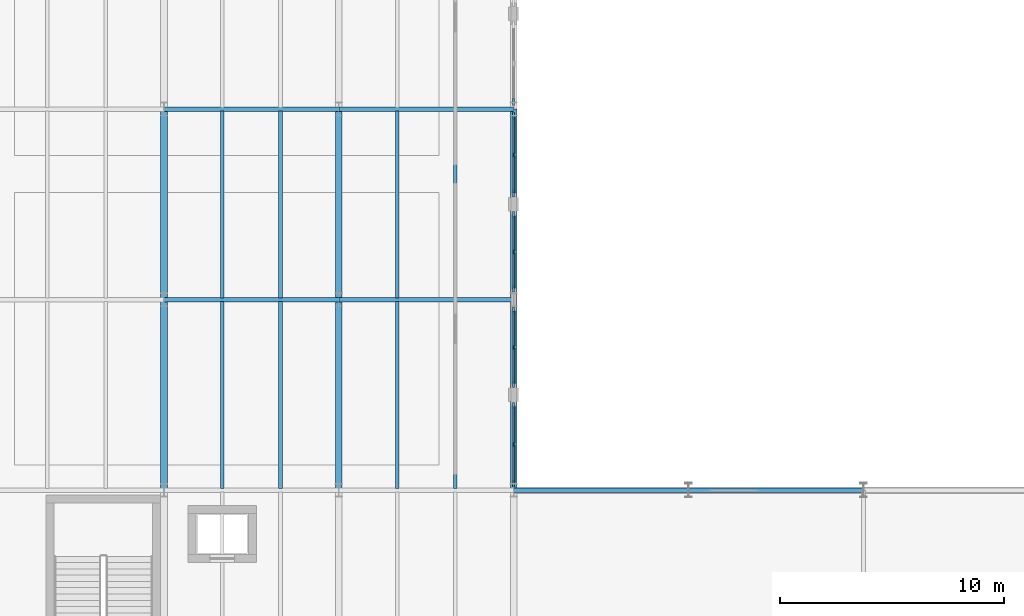
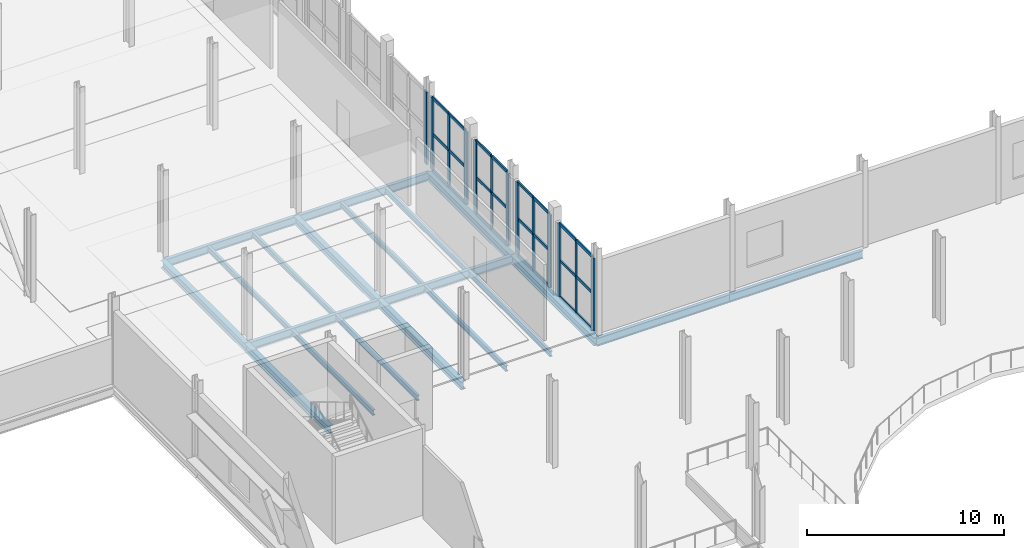
# One storey, part 19 of 78: 37 members, 20 beams, 5 elements without a shape of their own.
"""IFC4 building model written with IfcOpenShell, lengths in metres."""

from ifc_helpers import new_model, si_unit, direction, frame, origin, origin_2d, place, context, subcontext, project, spatial, rectangle, i_section, extrude, material, layer, layer_set, material_profile, profile_set, type_object, element, aggregate, save


model = new_model("IFC4")

# Units and contexts
model_context = context("Model", 3, precision=1e-05, world=origin(), true_north=direction((0.0, 1.0)))
body_context = subcontext(model_context, "Body", "Model", "MODEL_VIEW")
ifc_project = project(units=[si_unit("LENGTHUNIT", "METRE"), si_unit("AREAUNIT", "SQUARE_METRE"), si_unit("VOLUMEUNIT", "CUBIC_METRE"), si_unit("PLANEANGLEUNIT", "RADIAN"), si_unit("MASSUNIT", "GRAM", prefix="KILO")], contexts=[model_context])

# Site, building, storey
site_placement = place(None, origin())
site = spatial("IfcSite", under=ifc_project, at=site_placement, CompositionType="ELEMENT")
building_placement = place(site_placement, origin())
building = spatial("IfcBuilding", under=site, at=building_placement, Name="Sefraquen Railside Congress Hotel", CompositionType="ELEMENT")
storey_placement = place(building_placement, frame((0.0, 0.0, 6.0)))
storey = spatial("IfcBuildingStorey", under=building, at=storey_placement, Name="L01", CompositionType="ELEMENT", Elevation=6.0)

# Beams
ifc_material_1 = material(Name="Steel S355JR", Category="steel")
ifc_material_profile_1 = material_profile(ifc_material_1, i_section(OverallWidth=0.199951171875, OverallDepth=0.5, WebThickness=0.01025390625, FlangeThickness=0.01611328125, FilletRadius=0.02099609375, at=origin_2d()), Name="IPE 500")
ifc_profile_set_1 = profile_set([ifc_material_profile_1], Name="Steel S355JR")
beam_type_1 = type_object("IfcBeamType", Name="TB-BM-500", PredefinedType="BEAM", material=ifc_profile_set_1)
beam_placement = place(storey_placement, frame((48.60009765625, 54.0, -0.550048828125), z_axis=(1.0, 0.0, 0.0), x_axis=(0.0, 1.0, 0.0)))
element("IfcBeam", 1, at=beam_placement, inside=storey, type_object=beam_type_1, Name="Primary girder BM-L01-0395", PredefinedType="BEAM", context=body_context, shape_type="SweptSolid", body=[
    extrude(i_section(OverallWidth=0.199951171875, OverallDepth=0.5, WebThickness=0.01025390625, FlangeThickness=0.01611328125, FilletRadius=0.02099609375, at=origin_2d()), origin(), (0.0, 0.0, 1.0), 7.7998046875),
])
for number, where, z_axis, x_axis, name in (
    (2, (56.39990234375, 54.0, -0.550048828125), (1.0, 0.0, 0.0), (0.0, 1.0, 0.0), "Primary girder BM-L01-0396"),
    (3, (33.0, 62.5, -0.550048828125), (1.0, 0.0, 0.0), (0.0, 1.0, 0.0), "Primary girder BM-L01-0414"),
    (4, (40.800048828125, 62.5, -0.550048828125), (1.0, 0.0, 0.0), (0.0, 1.0, 0.0), "Primary girder BM-L01-0415"),
    (5, (33.0, 71.0, -0.550048828125), (1.0, 0.0, 0.0), (0.0, 1.0, 0.0), "Primary girder BM-L01-0423"),
    (6, (40.800048828125, 71.0, -0.550048828125), (1.0, 0.0, 0.0), (0.0, 1.0, 0.0), "Primary girder BM-L01-0424"),
):
    element("IfcBeam", number, at=place(storey_placement, frame(where, z_axis=z_axis, x_axis=x_axis)), inside=storey, type_object=beam_type_1, Name=name, PredefinedType="BEAM", context=body_context, shape_type="SweptSolid", body=[
        extrude(i_section(OverallWidth=0.199951171875, OverallDepth=0.5, WebThickness=0.01025390625, FlangeThickness=0.01611328125, FilletRadius=0.02099609375, at=origin_2d()), origin(), (0.0, 0.0, 1.0), 7.800048828125),
    ])
ifc_material_profile_2 = material_profile(ifc_material_1, i_section(OverallWidth=0.300048828125, OverallDepth=0.489990234375, WebThickness=0.011962890625, FlangeThickness=0.02294921875, FilletRadius=0.027099609375, at=origin_2d()), Name="HEA 500")
ifc_profile_set_2 = profile_set([ifc_material_profile_2], Name="Steel S355JR")
beam_type_2 = type_object("IfcBeamType", Name="TB-GIR-500", PredefinedType="T_BEAM", material=ifc_profile_set_2)
for number, where, z_axis, x_axis, name in (
    (7, (33.0, 54.0, -0.544921875), (0.0, 1.0, 0.0), (-1.0, 0.0, 0.0), "Floor beam BM-L01-0540"),
    (8, (33.0, 62.5, -0.544921875), (0.0, 1.0, 0.0), (-1.0, 0.0, 0.0), "Floor beam BM-L01-0541"),
    (9, (40.800048828125, 54.0, -0.544921875), (0.0, 1.0, 0.0), (-1.0, 0.0, 0.0), "Floor beam BM-L01-0551"),
    (10, (40.800048828125, 62.5, -0.544921875), (0.0, 1.0, 0.0), (-1.0, 0.0, 0.0), "Floor beam BM-L01-0552"),
    (11, (48.60009765625, 54.0, -0.544921875), (0.0, 1.0, 0.0), (-1.0, 0.0, 0.0), "Floor beam BM-L01-0560"),
    (12, (48.60009765625, 62.5, -0.544921875), (0.0, 1.0, 0.0), (-1.0, 0.0, 0.0), "Floor beam BM-L01-0561"),
):
    element("IfcBeam", number, at=place(storey_placement, frame(where, z_axis=z_axis, x_axis=x_axis)), inside=storey, type_object=beam_type_2, Name=name, PredefinedType="T_BEAM", context=body_context, shape_type="SweptSolid", body=[
        extrude(i_section(OverallWidth=0.300048828125, OverallDepth=0.489990234375, WebThickness=0.011962890625, FlangeThickness=0.02294921875, FilletRadius=0.027099609375, at=origin_2d()), origin(), (0.0, 0.0, 1.0), 8.5),
    ])
ifc_material_profile_3 = material_profile(ifc_material_1, i_section(OverallWidth=0.159912109375, OverallDepth=0.330078125, WebThickness=0.007568359375, FlangeThickness=0.011474609375, FilletRadius=0.01806640625, at=origin_2d()), Name="IPE 330")
ifc_profile_set_3 = profile_set([ifc_material_profile_3], Name="Steel S355JR")
beam_type_3 = type_object("IfcBeamType", Name="TB-JST-330", PredefinedType="JOIST", material=ifc_profile_set_3)
for number, where, z_axis, x_axis, name in (
    (13, (35.60009765625, 54.080078125, -0.465087890625), (0.0, 1.0, 0.0), (-1.0, 0.0, 0.0), "Composite floor joist BM-L01-J0252"),
    (14, (38.199951171875, 54.080078125, -0.465087890625), (0.0, 1.0, 0.0), (-1.0, 0.0, 0.0), "Composite floor joist BM-L01-J0253"),
    (15, (35.60009765625, 62.580078125, -0.465087890625), (0.0, 1.0, 0.0), (-1.0, 0.0, 0.0), "Composite floor joist BM-L01-J0254"),
    (16, (38.199951171875, 62.580078125, -0.465087890625), (0.0, 1.0, 0.0), (-1.0, 0.0, 0.0), "Composite floor joist BM-L01-J0255"),
    (17, (43.39990234375, 54.080078125, -0.465087890625), (0.0, 1.0, 0.0), (-1.0, 0.0, 0.0), "Composite floor joist BM-L01-J0270"),
    (18, (46.0, 54.080078125, -0.465087890625), (0.0, 1.0, 0.0), (-1.0, 0.0, 0.0), "Composite floor joist BM-L01-J0271"),
    (19, (43.39990234375, 62.580078125, -0.465087890625), (0.0, 1.0, 0.0), (-1.0, 0.0, 0.0), "Composite floor joist BM-L01-J0272"),
    (20, (46.0, 62.580078125, -0.465087890625), (0.0, 1.0, 0.0), (-1.0, 0.0, 0.0), "Composite floor joist BM-L01-J0273"),
):
    element("IfcBeam", number, at=place(storey_placement, frame(where, z_axis=z_axis, x_axis=x_axis)), inside=storey, type_object=beam_type_3, Name=name, PredefinedType="JOIST", context=body_context, shape_type="SweptSolid", body=[
        extrude(i_section(OverallWidth=0.159912109375, OverallDepth=0.330078125, WebThickness=0.007568359375, FlangeThickness=0.011474609375, FilletRadius=0.01806640625, at=origin_2d()), origin(), (0.0, 0.0, 1.0), 8.33984375),
    ])

# Curtain wall, member
ifc_material_2 = material(Name="Thermally broken anodised aluminium and low-E double glazing", Category="aluminium")
ifc_layer_1 = layer(ifc_material_2, 0.199951171875)
ifc_layer_set_1 = layer_set([ifc_layer_1], Name="Thermally broken anodised aluminium and low-E double glazing")
curtain_wall_type_1 = type_object("IfcCurtainWallType", Name="TCW-UCW-13", PredefinedType="USERDEFINED", material=ifc_layer_set_1)
curtain_wall_1_placement = place(storey_placement, origin())
curtain_wall_1 = element("IfcCurtainWall", 21, at=curtain_wall_1_placement, inside=storey, type_object=curtain_wall_type_1, Name="Courtyard west gallery curtain wall L01", ObjectType="UNITISED CURTAIN WALL", PredefinedType="USERDEFINED")
ifc_material_3 = material(Name="Thermally broken anodised aluminium 6063-T6", Category="aluminium")
ifc_material_profile_4 = material_profile(ifc_material_3, rectangle(XDim=0.070068359375, YDim=0.199951171875, at=origin_2d()), Name="CWM 70x200")
ifc_profile_set_4 = profile_set([ifc_material_profile_4], Name="Thermally broken anodised aluminium 6063-T6")
member_type_1 = type_object("IfcMemberType", Name="TM-CWM-03", PredefinedType="MULLION", material=ifc_profile_set_4)
member_1_placement = place(storey_placement, frame((48.60009765625, 56.0400390625, 0.0), z_axis=(0.0, 0.0, 1.0), x_axis=(1.0, 0.0, 0.0)))
member_1 = element("IfcMember", 22, at=member_1_placement, type_object=member_type_1, Name="CW-L01-045 mullion 2", PredefinedType="MULLION", context=body_context, shape_type="SweptSolid", body=[
    extrude(rectangle(XDim=0.070068359375, YDim=0.199951171875, at=origin_2d()), origin(), (0.0, 0.0, 1.0), 4.5),
])

curtain_wall_2_placement = place(storey_placement, origin())
curtain_wall_2 = element("IfcCurtainWall", 23, at=curtain_wall_2_placement, inside=storey, type_object=curtain_wall_type_1, Name="Courtyard west gallery curtain wall L01 bay 2", ObjectType="UNITISED CURTAIN WALL", PredefinedType="USERDEFINED")
member_2_placement = place(storey_placement, frame((48.60009765625, 60.375, 0.0), z_axis=(0.0, 0.0, 1.0), x_axis=(1.0, 0.0, 0.0)))
member_2 = element("IfcMember", 24, at=member_2_placement, type_object=member_type_1, Name="CW-L01-045-S2 mullion 2", PredefinedType="MULLION", context=body_context, shape_type="SweptSolid", body=[
    extrude(rectangle(XDim=0.070068359375, YDim=0.199951171875, at=origin_2d()), origin(), (0.0, 0.0, 1.0), 4.5),
])

curtain_wall_3_placement = place(storey_placement, origin())
curtain_wall_3 = element("IfcCurtainWall", 25, at=curtain_wall_3_placement, inside=storey, type_object=curtain_wall_type_1, Name="Courtyard west gallery curtain wall L01 bay 3", ObjectType="UNITISED CURTAIN WALL", PredefinedType="USERDEFINED")
member_3_placement = place(storey_placement, frame((48.60009765625, 64.625, 0.0), z_axis=(0.0, 0.0, 1.0), x_axis=(1.0, 0.0, 0.0)))
member_3 = element("IfcMember", 26, at=member_3_placement, type_object=member_type_1, Name="CW-L01-045-S3 mullion 2", PredefinedType="MULLION", context=body_context, shape_type="SweptSolid", body=[
    extrude(rectangle(XDim=0.070068359375, YDim=0.199951171875, at=origin_2d()), origin(), (0.0, 0.0, 1.0), 4.5),
])

curtain_wall_4_placement = place(storey_placement, origin())
curtain_wall_4 = element("IfcCurtainWall", 27, at=curtain_wall_4_placement, inside=storey, type_object=curtain_wall_type_1, Name="Courtyard west gallery curtain wall L01 bay 4", ObjectType="UNITISED CURTAIN WALL", PredefinedType="USERDEFINED")
member_4_placement = place(storey_placement, frame((48.60009765625, 68.9599609375, 0.0), z_axis=(0.0, 0.0, 1.0), x_axis=(1.0, 0.0, 0.0)))
member_4 = element("IfcMember", 28, at=member_4_placement, type_object=member_type_1, Name="CW-L01-045-S4 mullion 2", PredefinedType="MULLION", context=body_context, shape_type="SweptSolid", body=[
    extrude(rectangle(XDim=0.070068359375, YDim=0.199951171875, at=origin_2d()), origin(), (0.0, 0.0, 1.0), 4.5),
])

# Member
ifc_material_profile_5 = material_profile(ifc_material_3, rectangle(XDim=0.094970703125, YDim=0.300048828125, at=origin_2d()), Name="CWM 95x300")
ifc_profile_set_5 = profile_set([ifc_material_profile_5], Name="Thermally broken anodised aluminium 6063-T6")
member_type_2 = type_object("IfcMemberType", Name="TM-CWM-08", PredefinedType="MULLION", material=ifc_profile_set_5)
member_5_placement = place(storey_placement, frame((48.60009765625, 54.31005859375, 0.0), z_axis=(0.0, 0.0, 1.0), x_axis=(1.0, 0.0, 0.0)))
member_5 = element("IfcMember", 29, at=member_5_placement, type_object=member_type_2, Name="CW-L01-045 mullion 1", PredefinedType="MULLION", context=body_context, shape_type="SweptSolid", body=[
    extrude(rectangle(XDim=0.094970703125, YDim=0.300048828125, at=origin_2d()), origin(), (0.0, 0.0, 1.0), 4.5),
])

member_6_placement = place(storey_placement, frame((48.60009765625, 57.77001953125, 0.0), z_axis=(0.0, 0.0, 1.0), x_axis=(1.0, 0.0, 0.0)))
member_6 = element("IfcMember", 30, at=member_6_placement, type_object=member_type_2, Name="CW-L01-045 mullion 3", PredefinedType="MULLION", context=body_context, shape_type="SweptSolid", body=[
    extrude(rectangle(XDim=0.094970703125, YDim=0.300048828125, at=origin_2d()), origin(), (0.0, 0.0, 1.0), 4.5),
])

member_7_placement = place(storey_placement, frame((48.60009765625, 58.72998046875, 0.0), z_axis=(0.0, 0.0, 1.0), x_axis=(1.0, 0.0, 0.0)))
member_7 = element("IfcMember", 31, at=member_7_placement, type_object=member_type_2, Name="CW-L01-045-S2 mullion 1", PredefinedType="MULLION", context=body_context, shape_type="SweptSolid", body=[
    extrude(rectangle(XDim=0.094970703125, YDim=0.300048828125, at=origin_2d()), origin(), (0.0, 0.0, 1.0), 4.5),
])

member_8_placement = place(storey_placement, frame((48.60009765625, 62.02001953125, 0.0), z_axis=(0.0, 0.0, 1.0), x_axis=(1.0, 0.0, 0.0)))
member_8 = element("IfcMember", 32, at=member_8_placement, type_object=member_type_2, Name="CW-L01-045-S2 mullion 3", PredefinedType="MULLION", context=body_context, shape_type="SweptSolid", body=[
    extrude(rectangle(XDim=0.094970703125, YDim=0.300048828125, at=origin_2d()), origin(), (0.0, 0.0, 1.0), 4.5),
])

member_9_placement = place(storey_placement, frame((48.60009765625, 62.97998046875, 0.0), z_axis=(0.0, 0.0, 1.0), x_axis=(1.0, 0.0, 0.0)))
member_9 = element("IfcMember", 33, at=member_9_placement, type_object=member_type_2, Name="CW-L01-045-S3 mullion 1", PredefinedType="MULLION", context=body_context, shape_type="SweptSolid", body=[
    extrude(rectangle(XDim=0.094970703125, YDim=0.300048828125, at=origin_2d()), origin(), (0.0, 0.0, 1.0), 4.5),
])

member_10_placement = place(storey_placement, frame((48.60009765625, 66.27001953125, 0.0), z_axis=(0.0, 0.0, 1.0), x_axis=(1.0, 0.0, 0.0)))
member_10 = element("IfcMember", 34, at=member_10_placement, type_object=member_type_2, Name="CW-L01-045-S3 mullion 3", PredefinedType="MULLION", context=body_context, shape_type="SweptSolid", body=[
    extrude(rectangle(XDim=0.094970703125, YDim=0.300048828125, at=origin_2d()), origin(), (0.0, 0.0, 1.0), 4.5),
])

member_11_placement = place(storey_placement, frame((48.60009765625, 67.22998046875, 0.0), z_axis=(0.0, 0.0, 1.0), x_axis=(1.0, 0.0, 0.0)))
member_11 = element("IfcMember", 35, at=member_11_placement, type_object=member_type_2, Name="CW-L01-045-S4 mullion 1", PredefinedType="MULLION", context=body_context, shape_type="SweptSolid", body=[
    extrude(rectangle(XDim=0.094970703125, YDim=0.300048828125, at=origin_2d()), origin(), (0.0, 0.0, 1.0), 4.5),
])

member_12_placement = place(storey_placement, frame((48.60009765625, 70.68994140625, 0.0), z_axis=(0.0, 0.0, 1.0), x_axis=(1.0, 0.0, 0.0)))
member_12 = element("IfcMember", 36, at=member_12_placement, type_object=member_type_2, Name="CW-L01-045-S4 mullion 3", PredefinedType="MULLION", context=body_context, shape_type="SweptSolid", body=[
    extrude(rectangle(XDim=0.094970703125, YDim=0.300048828125, at=origin_2d()), origin(), (0.0, 0.0, 1.0), 4.5),
])

# Curtain wall, member
ifc_layer_2 = layer(ifc_material_2, 0.199951171875)
ifc_layer_set_2 = layer_set([ifc_layer_2], Name="Thermally broken anodised aluminium and low-E double glazing")
curtain_wall_type_2 = type_object("IfcCurtainWallType", Name="TCW-UCW-15", PredefinedType="USERDEFINED", material=ifc_layer_set_2)
curtain_wall_5_placement = place(storey_placement, origin())
curtain_wall_5 = element("IfcCurtainWall", 37, at=curtain_wall_5_placement, inside=storey, type_object=curtain_wall_type_2, Name="Courtyard west gallery curtain wall L01", ObjectType="UNITISED CURTAIN WALL", PredefinedType="USERDEFINED")
member_13_placement = place(storey_placement, frame((48.60009765625, 71.31005859375, 0.0), z_axis=(0.0, 0.0, 1.0), x_axis=(1.0, 0.0, 0.0)))
member_13 = element("IfcMember", 38, at=member_13_placement, type_object=member_type_2, Name="CW-L01-047 mullion 1", PredefinedType="MULLION", context=body_context, shape_type="SweptSolid", body=[
    extrude(rectangle(XDim=0.094970703125, YDim=0.300048828125, at=origin_2d()), origin(), (0.0, 0.0, 1.0), 4.5),
])
aggregate(curtain_wall_5, [member_13])

# Member
ifc_material_profile_6 = material_profile(ifc_material_3, rectangle(XDim=0.080078125, YDim=0.179931640625, at=origin_2d()), Name="CWT 80x180")
ifc_profile_set_6 = profile_set([ifc_material_profile_6], Name="Thermally broken anodised aluminium 6063-T6")
member_type_3 = type_object("IfcMemberType", Name="TM-CWT-05", PredefinedType="USERDEFINED", material=ifc_profile_set_6)
member_14_placement = place(storey_placement, frame((48.60009765625, 54.35498046875, 0.0), z_axis=(0.0, 1.0, 0.0), x_axis=(-1.0, 0.0, 0.0)))
member_14 = element("IfcMember", 39, at=member_14_placement, type_object=member_type_3, Name="CW-L01-045 transom 1.1", ObjectType="TRANSOM", PredefinedType="USERDEFINED", context=body_context, shape_type="SweptSolid", body=[
    extrude(rectangle(XDim=0.080078125, YDim=0.179931640625, at=origin_2d()), origin(), (0.0, 0.0, 1.0), 1.64013671875),
])

member_15_placement = place(storey_placement, frame((48.60009765625, 56.0849609375, 0.0), z_axis=(0.0, 1.0, 0.0), x_axis=(-1.0, 0.0, 0.0)))
member_15 = element("IfcMember", 40, at=member_15_placement, type_object=member_type_3, Name="CW-L01-045 transom 1.2", ObjectType="TRANSOM", PredefinedType="USERDEFINED", context=body_context, shape_type="SweptSolid", body=[
    extrude(rectangle(XDim=0.080078125, YDim=0.179931640625, at=origin_2d()), origin(), (0.0, 0.0, 1.0), 1.64013671875),
])

member_16_placement = place(storey_placement, frame((48.60009765625, 54.35498046875, 2.25), z_axis=(0.0, 1.0, 0.0), x_axis=(-1.0, 0.0, 0.0)))
member_16 = element("IfcMember", 41, at=member_16_placement, type_object=member_type_3, Name="CW-L01-045 transom 2.1", ObjectType="TRANSOM", PredefinedType="USERDEFINED", context=body_context, shape_type="SweptSolid", body=[
    extrude(rectangle(XDim=0.080078125, YDim=0.179931640625, at=origin_2d()), origin(), (0.0, 0.0, 1.0), 1.64013671875),
])

member_17_placement = place(storey_placement, frame((48.60009765625, 56.0849609375, 2.25), z_axis=(0.0, 1.0, 0.0), x_axis=(-1.0, 0.0, 0.0)))
member_17 = element("IfcMember", 42, at=member_17_placement, type_object=member_type_3, Name="CW-L01-045 transom 2.2", ObjectType="TRANSOM", PredefinedType="USERDEFINED", context=body_context, shape_type="SweptSolid", body=[
    extrude(rectangle(XDim=0.080078125, YDim=0.179931640625, at=origin_2d()), origin(), (0.0, 0.0, 1.0), 1.64013671875),
])

member_18_placement = place(storey_placement, frame((48.60009765625, 54.35498046875, 4.5), z_axis=(0.0, 1.0, 0.0), x_axis=(-1.0, 0.0, 0.0)))
member_18 = element("IfcMember", 43, at=member_18_placement, type_object=member_type_3, Name="CW-L01-045 transom 3.1", ObjectType="TRANSOM", PredefinedType="USERDEFINED", context=body_context, shape_type="SweptSolid", body=[
    extrude(rectangle(XDim=0.080078125, YDim=0.179931640625, at=origin_2d()), origin(), (0.0, 0.0, 1.0), 1.64013671875),
])

member_19_placement = place(storey_placement, frame((48.60009765625, 56.0849609375, 4.5), z_axis=(0.0, 1.0, 0.0), x_axis=(-1.0, 0.0, 0.0)))
member_19 = element("IfcMember", 44, at=member_19_placement, type_object=member_type_3, Name="CW-L01-045 transom 3.2", ObjectType="TRANSOM", PredefinedType="USERDEFINED", context=body_context, shape_type="SweptSolid", body=[
    extrude(rectangle(XDim=0.080078125, YDim=0.179931640625, at=origin_2d()), origin(), (0.0, 0.0, 1.0), 1.64013671875),
])

aggregate(curtain_wall_1, [member_5, member_1, member_6, member_14, member_15, member_16, member_17, member_18, member_19])

member_20_placement = place(storey_placement, frame((48.60009765625, 58.77490234375, 0.0), z_axis=(0.0, 1.0, 0.0), x_axis=(-1.0, 0.0, 0.0)))
member_20 = element("IfcMember", 45, at=member_20_placement, type_object=member_type_3, Name="CW-L01-045-S2 transom 1.1", ObjectType="TRANSOM", PredefinedType="USERDEFINED", context=body_context, shape_type="SweptSolid", body=[
    extrude(rectangle(XDim=0.080078125, YDim=0.179931640625, at=origin_2d()), origin(), (0.0, 0.0, 1.0), 1.55517578125),
])

member_21_placement = place(storey_placement, frame((48.60009765625, 60.419921875, 0.0), z_axis=(0.0, 1.0, 0.0), x_axis=(-1.0, 0.0, 0.0)))
member_21 = element("IfcMember", 46, at=member_21_placement, type_object=member_type_3, Name="CW-L01-045-S2 transom 1.2", ObjectType="TRANSOM", PredefinedType="USERDEFINED", context=body_context, shape_type="SweptSolid", body=[
    extrude(rectangle(XDim=0.080078125, YDim=0.179931640625, at=origin_2d()), origin(), (0.0, 0.0, 1.0), 1.55517578125),
])

member_22_placement = place(storey_placement, frame((48.60009765625, 58.77490234375, 2.25), z_axis=(0.0, 1.0, 0.0), x_axis=(-1.0, 0.0, 0.0)))
member_22 = element("IfcMember", 47, at=member_22_placement, type_object=member_type_3, Name="CW-L01-045-S2 transom 2.1", ObjectType="TRANSOM", PredefinedType="USERDEFINED", context=body_context, shape_type="SweptSolid", body=[
    extrude(rectangle(XDim=0.080078125, YDim=0.179931640625, at=origin_2d()), origin(), (0.0, 0.0, 1.0), 1.55517578125),
])

member_23_placement = place(storey_placement, frame((48.60009765625, 60.419921875, 2.25), z_axis=(0.0, 1.0, 0.0), x_axis=(-1.0, 0.0, 0.0)))
member_23 = element("IfcMember", 48, at=member_23_placement, type_object=member_type_3, Name="CW-L01-045-S2 transom 2.2", ObjectType="TRANSOM", PredefinedType="USERDEFINED", context=body_context, shape_type="SweptSolid", body=[
    extrude(rectangle(XDim=0.080078125, YDim=0.179931640625, at=origin_2d()), origin(), (0.0, 0.0, 1.0), 1.55517578125),
])

member_24_placement = place(storey_placement, frame((48.60009765625, 58.77490234375, 4.5), z_axis=(0.0, 1.0, 0.0), x_axis=(-1.0, 0.0, 0.0)))
member_24 = element("IfcMember", 49, at=member_24_placement, type_object=member_type_3, Name="CW-L01-045-S2 transom 3.1", ObjectType="TRANSOM", PredefinedType="USERDEFINED", context=body_context, shape_type="SweptSolid", body=[
    extrude(rectangle(XDim=0.080078125, YDim=0.179931640625, at=origin_2d()), origin(), (0.0, 0.0, 1.0), 1.55517578125),
])

member_25_placement = place(storey_placement, frame((48.60009765625, 60.419921875, 4.5), z_axis=(0.0, 1.0, 0.0), x_axis=(-1.0, 0.0, 0.0)))
member_25 = element("IfcMember", 50, at=member_25_placement, type_object=member_type_3, Name="CW-L01-045-S2 transom 3.2", ObjectType="TRANSOM", PredefinedType="USERDEFINED", context=body_context, shape_type="SweptSolid", body=[
    extrude(rectangle(XDim=0.080078125, YDim=0.179931640625, at=origin_2d()), origin(), (0.0, 0.0, 1.0), 1.55517578125),
])

aggregate(curtain_wall_2, [member_7, member_2, member_8, member_20, member_21, member_22, member_23, member_24, member_25])

member_26_placement = place(storey_placement, frame((48.60009765625, 63.02490234375, 0.0), z_axis=(0.0, 1.0, 0.0), x_axis=(-1.0, 0.0, 0.0)))
member_26 = element("IfcMember", 51, at=member_26_placement, type_object=member_type_3, Name="CW-L01-045-S3 transom 1.1", ObjectType="TRANSOM", PredefinedType="USERDEFINED", context=body_context, shape_type="SweptSolid", body=[
    extrude(rectangle(XDim=0.080078125, YDim=0.179931640625, at=origin_2d()), origin(), (0.0, 0.0, 1.0), 1.55517578125),
])

member_27_placement = place(storey_placement, frame((48.60009765625, 64.669921875, 0.0), z_axis=(0.0, 1.0, 0.0), x_axis=(-1.0, 0.0, 0.0)))
member_27 = element("IfcMember", 52, at=member_27_placement, type_object=member_type_3, Name="CW-L01-045-S3 transom 1.2", ObjectType="TRANSOM", PredefinedType="USERDEFINED", context=body_context, shape_type="SweptSolid", body=[
    extrude(rectangle(XDim=0.080078125, YDim=0.179931640625, at=origin_2d()), origin(), (0.0, 0.0, 1.0), 1.55517578125),
])

member_28_placement = place(storey_placement, frame((48.60009765625, 63.02490234375, 2.25), z_axis=(0.0, 1.0, 0.0), x_axis=(-1.0, 0.0, 0.0)))
member_28 = element("IfcMember", 53, at=member_28_placement, type_object=member_type_3, Name="CW-L01-045-S3 transom 2.1", ObjectType="TRANSOM", PredefinedType="USERDEFINED", context=body_context, shape_type="SweptSolid", body=[
    extrude(rectangle(XDim=0.080078125, YDim=0.179931640625, at=origin_2d()), origin(), (0.0, 0.0, 1.0), 1.55517578125),
])

member_29_placement = place(storey_placement, frame((48.60009765625, 64.669921875, 2.25), z_axis=(0.0, 1.0, 0.0), x_axis=(-1.0, 0.0, 0.0)))
member_29 = element("IfcMember", 54, at=member_29_placement, type_object=member_type_3, Name="CW-L01-045-S3 transom 2.2", ObjectType="TRANSOM", PredefinedType="USERDEFINED", context=body_context, shape_type="SweptSolid", body=[
    extrude(rectangle(XDim=0.080078125, YDim=0.179931640625, at=origin_2d()), origin(), (0.0, 0.0, 1.0), 1.55517578125),
])

member_30_placement = place(storey_placement, frame((48.60009765625, 63.02490234375, 4.5), z_axis=(0.0, 1.0, 0.0), x_axis=(-1.0, 0.0, 0.0)))
member_30 = element("IfcMember", 55, at=member_30_placement, type_object=member_type_3, Name="CW-L01-045-S3 transom 3.1", ObjectType="TRANSOM", PredefinedType="USERDEFINED", context=body_context, shape_type="SweptSolid", body=[
    extrude(rectangle(XDim=0.080078125, YDim=0.179931640625, at=origin_2d()), origin(), (0.0, 0.0, 1.0), 1.55517578125),
])

member_31_placement = place(storey_placement, frame((48.60009765625, 64.669921875, 4.5), z_axis=(0.0, 1.0, 0.0), x_axis=(-1.0, 0.0, 0.0)))
member_31 = element("IfcMember", 56, at=member_31_placement, type_object=member_type_3, Name="CW-L01-045-S3 transom 3.2", ObjectType="TRANSOM", PredefinedType="USERDEFINED", context=body_context, shape_type="SweptSolid", body=[
    extrude(rectangle(XDim=0.080078125, YDim=0.179931640625, at=origin_2d()), origin(), (0.0, 0.0, 1.0), 1.55517578125),
])

aggregate(curtain_wall_3, [member_9, member_3, member_10, member_26, member_27, member_28, member_29, member_30, member_31])

member_32_placement = place(storey_placement, frame((48.60009765625, 67.27490234375, 0.0), z_axis=(0.0, 1.0, 0.0), x_axis=(-1.0, 0.0, 0.0)))
member_32 = element("IfcMember", 57, at=member_32_placement, type_object=member_type_3, Name="CW-L01-045-S4 transom 1.1", ObjectType="TRANSOM", PredefinedType="USERDEFINED", context=body_context, shape_type="SweptSolid", body=[
    extrude(rectangle(XDim=0.080078125, YDim=0.179931640625, at=origin_2d()), origin(), (0.0, 0.0, 1.0), 1.64013671875),
])

member_33_placement = place(storey_placement, frame((48.60009765625, 69.0048828125, 0.0), z_axis=(0.0, 1.0, 0.0), x_axis=(-1.0, 0.0, 0.0)))
member_33 = element("IfcMember", 58, at=member_33_placement, type_object=member_type_3, Name="CW-L01-045-S4 transom 1.2", ObjectType="TRANSOM", PredefinedType="USERDEFINED", context=body_context, shape_type="SweptSolid", body=[
    extrude(rectangle(XDim=0.080078125, YDim=0.179931640625, at=origin_2d()), origin(), (0.0, 0.0, 1.0), 1.64013671875),
])

member_34_placement = place(storey_placement, frame((48.60009765625, 67.27490234375, 2.25), z_axis=(0.0, 1.0, 0.0), x_axis=(-1.0, 0.0, 0.0)))
member_34 = element("IfcMember", 59, at=member_34_placement, type_object=member_type_3, Name="CW-L01-045-S4 transom 2.1", ObjectType="TRANSOM", PredefinedType="USERDEFINED", context=body_context, shape_type="SweptSolid", body=[
    extrude(rectangle(XDim=0.080078125, YDim=0.179931640625, at=origin_2d()), origin(), (0.0, 0.0, 1.0), 1.64013671875),
])

member_35_placement = place(storey_placement, frame((48.60009765625, 69.0048828125, 2.25), z_axis=(0.0, 1.0, 0.0), x_axis=(-1.0, 0.0, 0.0)))
member_35 = element("IfcMember", 60, at=member_35_placement, type_object=member_type_3, Name="CW-L01-045-S4 transom 2.2", ObjectType="TRANSOM", PredefinedType="USERDEFINED", context=body_context, shape_type="SweptSolid", body=[
    extrude(rectangle(XDim=0.080078125, YDim=0.179931640625, at=origin_2d()), origin(), (0.0, 0.0, 1.0), 1.64013671875),
])

member_36_placement = place(storey_placement, frame((48.60009765625, 67.27490234375, 4.5), z_axis=(0.0, 1.0, 0.0), x_axis=(-1.0, 0.0, 0.0)))
member_36 = element("IfcMember", 61, at=member_36_placement, type_object=member_type_3, Name="CW-L01-045-S4 transom 3.1", ObjectType="TRANSOM", PredefinedType="USERDEFINED", context=body_context, shape_type="SweptSolid", body=[
    extrude(rectangle(XDim=0.080078125, YDim=0.179931640625, at=origin_2d()), origin(), (0.0, 0.0, 1.0), 1.64013671875),
])

member_37_placement = place(storey_placement, frame((48.60009765625, 69.0048828125, 4.5), z_axis=(0.0, 1.0, 0.0), x_axis=(-1.0, 0.0, 0.0)))
member_37 = element("IfcMember", 62, at=member_37_placement, type_object=member_type_3, Name="CW-L01-045-S4 transom 3.2", ObjectType="TRANSOM", PredefinedType="USERDEFINED", context=body_context, shape_type="SweptSolid", body=[
    extrude(rectangle(XDim=0.080078125, YDim=0.179931640625, at=origin_2d()), origin(), (0.0, 0.0, 1.0), 1.64013671875),
])

aggregate(curtain_wall_4, [member_11, member_4, member_12, member_32, member_33, member_34, member_35, member_36, member_37])

save(model, "model.ifc")
